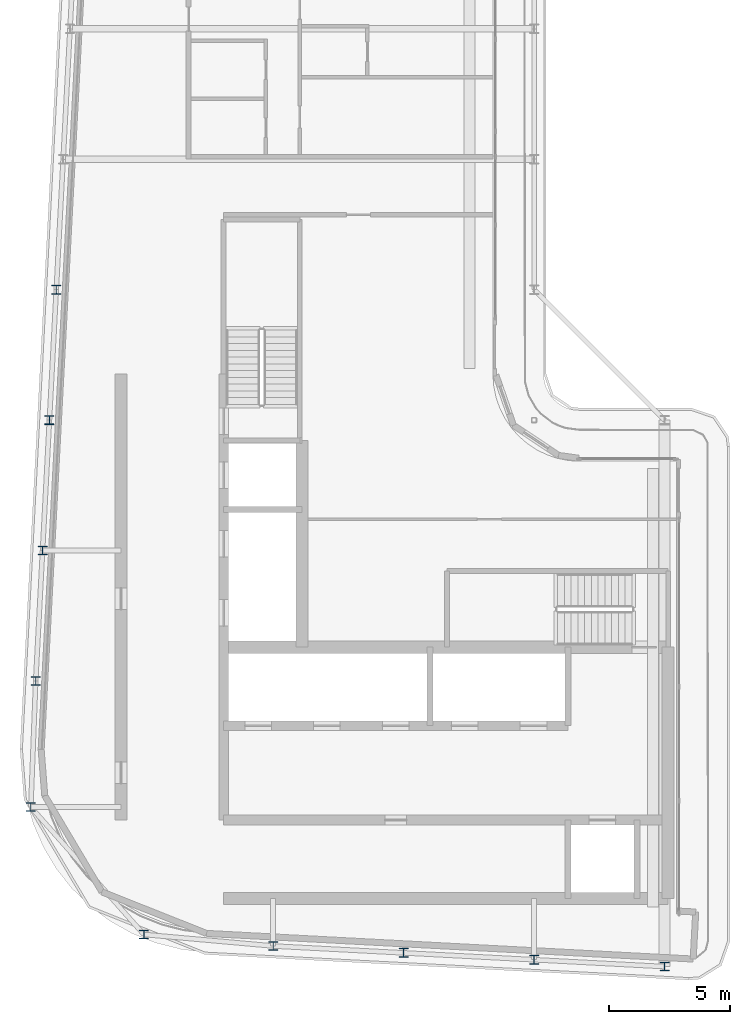
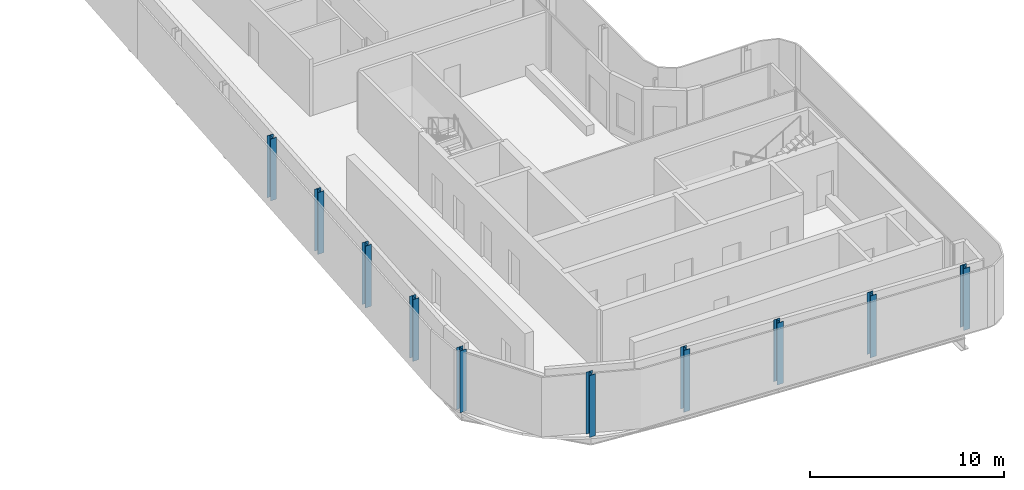
# One storey, part 1 of 18: 10 columns.
"""IFC4 building model written with IfcOpenShell, lengths in metres."""

from ifc_helpers import new_model, si_unit, direction, frame, origin, origin_2d, place, context, subcontext, project, spatial, i_section, extrude, material, material_profile, profile_set, type_object, element, save


model = new_model("IFC4")

# Units and contexts
model_context = context("Model", 3, precision=1e-05, world=origin(), true_north=direction((0.0, 1.0)))
body_context = subcontext(model_context, "Body", "Model", "MODEL_VIEW")
ifc_project = project(units=[si_unit("LENGTHUNIT", "METRE"), si_unit("AREAUNIT", "SQUARE_METRE"), si_unit("VOLUMEUNIT", "CUBIC_METRE"), si_unit("PLANEANGLEUNIT", "RADIAN"), si_unit("MASSUNIT", "GRAM", prefix="KILO")], contexts=[model_context])

# Site, building, storey
site_placement = place(None, origin())
site = spatial("IfcSite", under=ifc_project, at=site_placement, CompositionType="ELEMENT")
building_placement = place(site_placement, origin())
building = spatial("IfcBuilding", under=site, at=building_placement, Name="Kheshtan School and Residences Tower", CompositionType="ELEMENT")
storey_placement = place(building_placement, frame((0.0, 0.0, 373.39990234375)))
storey = spatial("IfcBuildingStorey", under=building, at=storey_placement, Name="L88", CompositionType="ELEMENT", Elevation=373.39990234375)

# Columns
ifc_material = material(Name="Steel ASTM A992 Grade 50", Category="steel")
ifc_material_profile = material_profile(ifc_material, i_section(OverallWidth=0.37109375, OverallDepth=0.364013671875, WebThickness=0.01318359375, FlangeThickness=0.021728515625, FilletRadius=0.010986328125, at=origin_2d()), Name="W360x162")
ifc_profile_set = profile_set([ifc_material_profile], Name="Steel ASTM A992 Grade 50")
column_type = type_object("IfcColumnType", Name="Column C6 W360x162 ASTM A992 Grade 50", PredefinedType="COLUMN", material=ifc_profile_set)
for number, where, z_axis, x_axis, name in (
    (1, (53.0, 22.97998046875, 0.0), (0.0, 0.0, 1.0), (1.0, 0.0, 0.0), "Column C019"),
    (2, (47.60009765625, 23.263916015625, 0.0), (0.0, 0.0, 1.0), (1.0, 0.0, 0.0), "Column C020"),
    (3, (42.199951171875, 23.548095703125, 0.0), (0.0, 0.0, 1.0), (1.0, 0.0, 0.0), "Column C021"),
    (4, (36.800048828125, 23.83203125, 0.0), (0.0, 0.0, 1.0), (1.0, 0.0, 0.0), "Column C022"),
    (5, (31.447021484375, 24.31005859375, 0.0), (0.0, 0.0, 1.0), (1.0, 0.0, 0.0), "Column C034"),
    (6, (26.76708984375, 29.58203125, 0.0), (0.0, 0.0, 1.0), (1.0, 0.0, 0.0), "Column C048"),
    (7, (26.968994140625, 34.800048828125, 0.0), (0.0, 0.0, 1.0), (1.0, 0.0, 0.0), "Column C052"),
    (8, (27.2529296875, 40.199951171875, 0.0), (0.0, 0.0, 1.0), (1.0, 0.0, 0.0), "Column C056"),
    (9, (27.537109375, 45.60009765625, 0.0), (0.0, 0.0, 1.0), (1.0, 0.0, 0.0), "Column C059"),
    (10, (27.822021484375, 51.0, 0.0), (0.0, 0.0, 1.0), (1.0, 0.0, 0.0), "Column C078"),
):
    element("IfcColumn", number, at=place(storey_placement, frame(where, z_axis=z_axis, x_axis=x_axis)), inside=storey, type_object=column_type, Name=name, PredefinedType="COLUMN", context=body_context, shape_type="SweptSolid", body=[
        extrude(i_section(OverallWidth=0.37109375, OverallDepth=0.364013671875, WebThickness=0.01318359375, FlangeThickness=0.021728515625, FilletRadius=0.010986328125, at=origin_2d()), origin(), (0.0, 0.0, 1.0), 3.900146484375),
    ])

save(model, "model.ifc")
